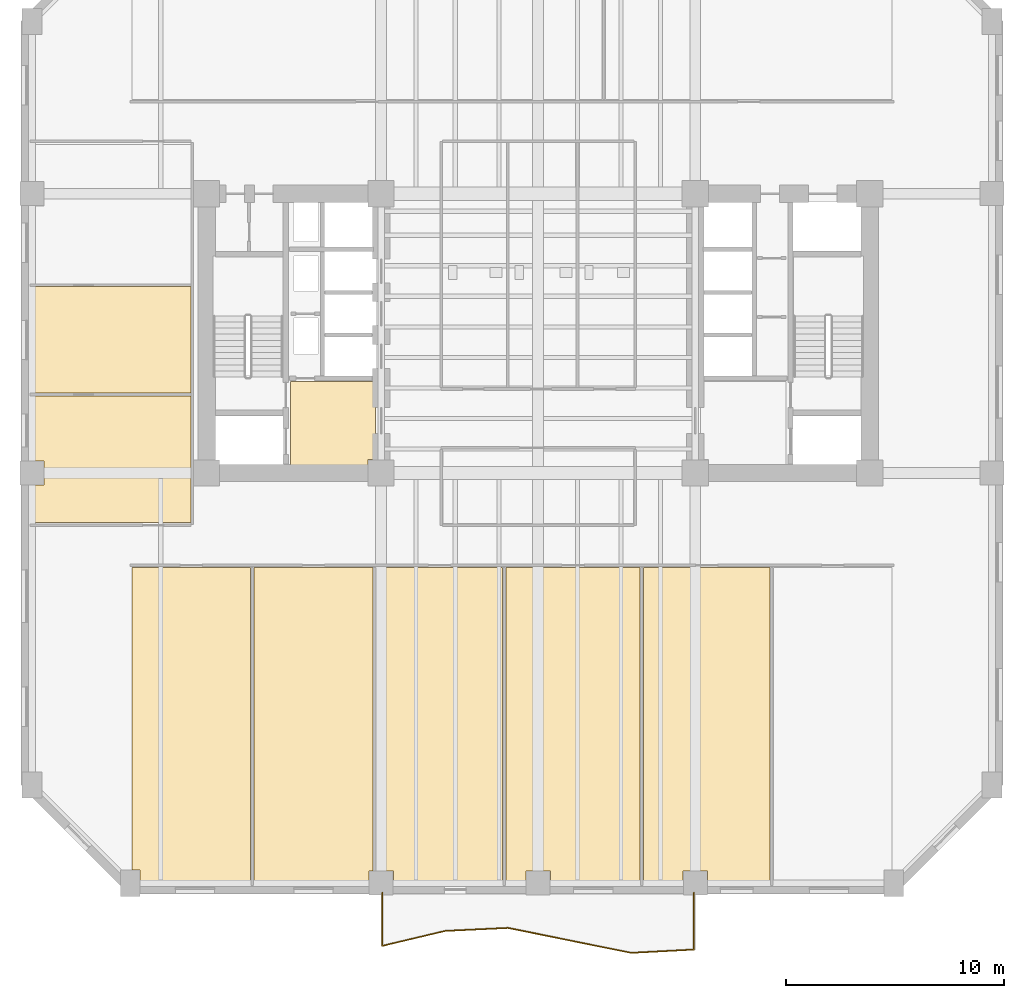
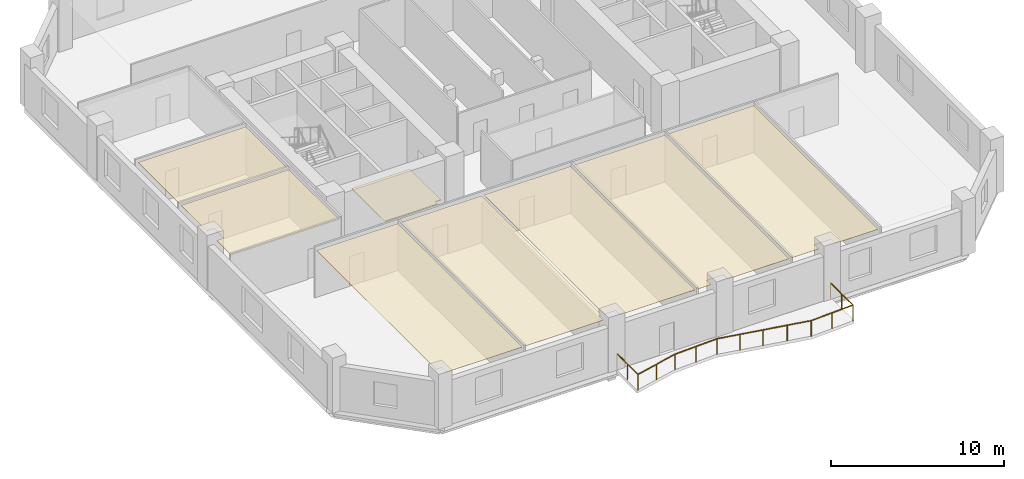
# One storey, part 6 of 10: 8 coverings, 1 railing.
"""IFC4 building model written with IfcOpenShell, lengths in metres."""

from ifc_helpers import new_model, si_unit, direction, frame, origin, origin_2d, place, context, subcontext, project, spatial, polyline, circle, outline, extrude, material, layer, layer_set, type_object, element, save


model = new_model("IFC4")

# Units and contexts
model_context = context("Model", 3, precision=1e-05, world=origin(), true_north=direction((0.0, 1.0)))
body_context = subcontext(model_context, "Body", "Model", "MODEL_VIEW")
ifc_project = project(units=[si_unit("LENGTHUNIT", "METRE"), si_unit("AREAUNIT", "SQUARE_METRE"), si_unit("VOLUMEUNIT", "CUBIC_METRE"), si_unit("PLANEANGLEUNIT", "RADIAN"), si_unit("MASSUNIT", "GRAM", prefix="KILO")], contexts=[model_context])

# Site, building, storey
site_placement = place(None, origin())
site = spatial("IfcSite", under=ifc_project, at=site_placement, CompositionType="ELEMENT")
building_placement = place(site_placement, origin())
building = spatial("IfcBuilding", under=site, at=building_placement, Name="Kranthara Brick Stack", CompositionType="ELEMENT")
storey_placement = place(building_placement, frame((0.0, 0.0, 36.0)))
storey = spatial("IfcBuildingStorey", under=building, at=storey_placement, Name="L08", CompositionType="ELEMENT", Elevation=36.0)

# Coverings
ifc_material_1 = material(Name="Perforated mineral-fibre acoustic ceiling tile", Category="other")
ifc_layer_1 = layer(ifc_material_1, 0.02490234375)
ifc_layer_set_1 = layer_set([ifc_layer_1], Name="Perforated mineral-fibre acoustic ceiling tile")
covering_type_1 = type_object("IfcCoveringType", Name="COV-CEIL-ACOUSTIC", PredefinedType="CEILING", material=ifc_layer_set_1)
covering_1_placement = place(storey_placement, frame((0.0, 0.0, 3.330078125)))
element("IfcCovering", 1, at=covering_1_placement, inside=storey, type_object=covering_type_1, Name="L08 L08 Executive Cellular Office 1 Acoustic Ceiling", PredefinedType="CEILING", context=body_context, shape_type="SweptSolid", body=[
    extrude(outline(polyline([(9.3798828125, 16.47998046875), (14.820068359375, 16.47998046875), (14.820068359375, 2.070068359375), (9.760009765625, 2.070068359375), (9.760009765625, 2.610107421875), (9.3798828125, 2.610107421875), (9.3798828125, 16.47998046875)])), origin(), (0.0, 0.0, 1.0), 0.02490234375),
])
covering_2_placement = place(storey_placement, frame((0.0, 0.0, 3.330078125)))
element("IfcCovering", 2, at=covering_2_placement, inside=storey, type_object=covering_type_1, Name="L08 L08 Executive Cellular Office 2 Acoustic Ceiling", PredefinedType="CEILING", context=body_context, shape_type="SweptSolid", body=[
    extrude(outline(polyline([(14.97998046875, 2.070068359375), (14.97998046875, 16.47998046875), (20.419921875, 16.47998046875), (20.419921875, 2.56005859375), (20.239990234375, 2.56005859375), (20.239990234375, 2.070068359375), (14.97998046875, 2.070068359375)])), origin(), (0.0, 0.0, 1.0), 0.02490234375),
])
covering_3_placement = place(storey_placement, frame((0.0, 0.0, 3.330078125)))
element("IfcCovering", 3, at=covering_3_placement, inside=storey, type_object=covering_type_1, Name="L08 L08 Meeting Room 3 Acoustic Ceiling", PredefinedType="CEILING", context=body_context, shape_type="SweptSolid", body=[
    extrude(outline(polyline([(20.580078125, 16.47998046875), (26.3701171875, 16.47998046875), (26.3701171875, 2.070068359375), (21.360107421875, 2.070068359375), (21.360107421875, 2.56005859375), (20.580078125, 2.56005859375), (20.580078125, 16.47998046875)])), origin(), (0.0, 0.0, 1.0), 0.02490234375),
])
covering_4_placement = place(storey_placement, frame((0.0, 0.0, 3.330078125)))
element("IfcCovering", 4, at=covering_4_placement, inside=storey, type_object=covering_type_1, Name="L08 L08 Meeting Room 4 Acoustic Ceiling", PredefinedType="CEILING", context=body_context, shape_type="SweptSolid", body=[
    extrude(outline(polyline([(26.530029296875, 2.070068359375), (26.530029296875, 16.47998046875), (32.669921875, 16.47998046875), (32.669921875, 2.070068359375), (28.56005859375, 2.070068359375), (28.56005859375, 2.56005859375), (27.43994140625, 2.56005859375), (27.43994140625, 2.070068359375), (26.530029296875, 2.070068359375)])), origin(), (0.0, 0.0, 1.0), 0.02490234375),
])
covering_5_placement = place(storey_placement, frame((0.0, 0.0, 3.330078125)))
element("IfcCovering", 5, at=covering_5_placement, inside=storey, type_object=covering_type_1, Name="L08 L08 Meeting Room 5 Acoustic Ceiling", PredefinedType="CEILING", context=body_context, shape_type="SweptSolid", body=[
    extrude(outline(polyline([(32.830078125, 2.070068359375), (32.830078125, 16.47998046875), (38.6201171875, 16.47998046875), (38.6201171875, 2.070068359375), (35.760009765625, 2.070068359375), (35.760009765625, 2.56005859375), (34.639892578125, 2.56005859375), (34.639892578125, 2.070068359375), (32.830078125, 2.070068359375)])), origin(), (0.0, 0.0, 1.0), 0.02490234375),
])
covering_6_placement = place(storey_placement, frame((0.0, 0.0, 3.330078125)))
element("IfcCovering", 6, at=covering_6_placement, inside=storey, type_object=covering_type_1, Name="L08 L08 West Executive Office 1 Acoustic Ceiling", PredefinedType="CEILING", context=body_context, shape_type="SweptSolid", body=[
    extrude(outline(polyline([(4.8701171875, 24.340087890625), (12.080078125, 24.340087890625), (12.080078125, 18.5400390625), (4.8701171875, 18.5400390625), (4.8701171875, 20.239990234375), (5.360107421875, 20.239990234375), (5.360107421875, 21.360107421875), (4.8701171875, 21.360107421875), (4.8701171875, 24.340087890625)])), origin(), (0.0, 0.0, 1.0), 0.02490234375),
])
covering_7_placement = place(storey_placement, frame((0.0, 0.0, 3.330078125)))
element("IfcCovering", 7, at=covering_7_placement, inside=storey, type_object=covering_type_1, Name="L08 L08 West Executive Office 2 Acoustic Ceiling", PredefinedType="CEILING", context=body_context, shape_type="SweptSolid", body=[
    extrude(outline(polyline([(12.080078125, 24.4599609375), (12.080078125, 29.340087890625), (4.8701171875, 29.340087890625), (4.8701171875, 24.4599609375), (12.080078125, 24.4599609375)])), origin(), (0.0, 0.0, 1.0), 0.02490234375),
])
ifc_material_2 = material(Name="Honed terrazzo and porcelain floor finish", Category="stone")
ifc_layer_2 = layer(ifc_material_2, 0.030029296875)
ifc_layer_set_2 = layer_set([ifc_layer_2], Name="Honed terrazzo and porcelain floor finish")
covering_type_2 = type_object("IfcCoveringType", Name="COV-FLOR-STONE", PredefinedType="FLOORING", material=ifc_layer_set_2)
covering_8_placement = place(storey_placement, origin())
element("IfcCovering", 8, at=covering_8_placement, inside=storey, type_object=covering_type_2, Name="L08 Lift Lobby Stone Flooring", PredefinedType="FLOORING", context=body_context, shape_type="SweptSolid", body=[
    extrude(outline(polyline([(16.64990234375, 21.14990234375), (16.64990234375, 25.0), (20.550048828125, 25.0), (20.550048828125, 21.409912109375), (20.18994140625, 21.409912109375), (20.18994140625, 21.14990234375), (16.64990234375, 21.14990234375)])), origin(), (0.0, 0.0, 1.0), 0.030029296875),
])

# Railing
ifc_material_3 = material(Name="Bronze anodised aluminium and laminated glass balustrade", Category="aluminium")
railing_type = type_object("IfcRailingType", Name="RL-BALC-1120", PredefinedType="BALUSTRADE", material=ifc_material_3)
railing_placement = place(storey_placement, frame((35.139892578125, 1.56005859375, 0.0)))
element("IfcRailing", 9, at=railing_placement, inside=storey, type_object=railing_type, Name="L08 South Rippling Balcony Balustrade", PredefinedType="BALUSTRADE", context=body_context, shape_type="SweptSolid", body=[
    extrude(circle(Radius=0.02392578125, at=origin_2d()), frame((0.0, 0.0, 1.09619140625), z_axis=(0.000187564472, -0.99999998241, 0.0), x_axis=(0.99999998241, 0.000187564472, 0.0)), (0.0, 0.0, 1.0), 2.603271484375),
    extrude(circle(Radius=0.02392578125, at=origin_2d()), frame((0.00048828125, -2.603271484375, 1.09619140625), z_axis=(-0.998642518449, -0.052087621817, 0.0), x_axis=(0.052087621817, -0.998642518449, 0.0)), (0.0, 0.0, 1.0), 2.882568359375),
    extrude(circle(Radius=0.02392578125, at=origin_2d()), frame((-2.878173828125, -2.75341796875, 1.09619140625), z_axis=(-0.980211220791, 0.197954445861, 0.0), x_axis=(-0.197954445861, -0.980211220791, 0.0)), (0.0, 0.0, 1.0), 2.9365234375),
    extrude(circle(Radius=0.02392578125, at=origin_2d()), frame((-5.756591796875, -2.172119140625, 1.09619140625), z_axis=(-0.979973330749, 0.199128779991, 0.0), x_axis=(-0.199128779991, -0.979973330749, 0.0)), (0.0, 0.0, 1.0), 2.81982421875),
    extrude(circle(Radius=0.02392578125, at=origin_2d()), frame((-8.52001953125, -1.610595703125, 1.09619140625), z_axis=(-0.998858923282, -0.047758259811, 0.0), x_axis=(0.047758259811, -0.998858923282, 0.0)), (0.0, 0.0, 1.0), 2.883056640625),
    extrude(circle(Radius=0.02392578125, at=origin_2d()), frame((-11.39990234375, -1.748291015625, 1.09619140625), z_axis=(-0.972881369754, -0.231304648429, 0.0), x_axis=(0.231304648429, -0.972881369754, 0.0)), (0.0, 0.0, 1.0), 2.960693359375),
    extrude(circle(Radius=0.02392578125, at=origin_2d()), frame((-14.2802734375, -2.43310546875, 1.09619140625), z_axis=(0.000200682316, 0.999999979863, 0.0), x_axis=(-0.999999979863, 0.000200682316, 0.0)), (0.0, 0.0, 1.0), 2.43310546875),
    extrude(circle(Radius=0.02099609375, at=origin_2d()), origin(), (0.0, 0.0, 1.0), 1.072021484375),
    extrude(circle(Radius=0.02099609375, at=origin_2d()), frame((0.000244140625, -1.3017578125, 0.0)), (0.0, 0.0, 1.0), 1.072021484375),
    extrude(circle(Radius=0.02099609375, at=origin_2d()), frame((0.00048828125, -2.603271484375, 0.0)), (0.0, 0.0, 1.0), 1.072021484375),
    extrude(circle(Radius=0.02099609375, at=origin_2d()), frame((-1.43896484375, -2.67822265625, 0.0)), (0.0, 0.0, 1.0), 1.072021484375),
    extrude(circle(Radius=0.02099609375, at=origin_2d()), frame((-2.878173828125, -2.75341796875, 0.0)), (0.0, 0.0, 1.0), 1.072021484375),
    extrude(circle(Radius=0.02099609375, at=origin_2d()), frame((-4.3173828125, -2.462890625, 0.0)), (0.0, 0.0, 1.0), 1.072021484375),
    extrude(circle(Radius=0.02099609375, at=origin_2d()), frame((-5.756591796875, -2.172119140625, 0.0)), (0.0, 0.0, 1.0), 1.072021484375),
    extrude(circle(Radius=0.02099609375, at=origin_2d()), frame((-7.13818359375, -1.891357421875, 0.0)), (0.0, 0.0, 1.0), 1.072021484375),
    extrude(circle(Radius=0.02099609375, at=origin_2d()), frame((-8.52001953125, -1.610595703125, 0.0)), (0.0, 0.0, 1.0), 1.072021484375),
    extrude(circle(Radius=0.02099609375, at=origin_2d()), frame((-9.9599609375, -1.679443359375, 0.0)), (0.0, 0.0, 1.0), 1.072021484375),
    extrude(circle(Radius=0.02099609375, at=origin_2d()), frame((-11.39990234375, -1.748291015625, 0.0)), (0.0, 0.0, 1.0), 1.072021484375),
    extrude(circle(Radius=0.02099609375, at=origin_2d()), frame((-12.840087890625, -2.0908203125, 0.0)), (0.0, 0.0, 1.0), 1.072021484375),
    extrude(circle(Radius=0.02099609375, at=origin_2d()), frame((-14.2802734375, -2.43310546875, 0.0)), (0.0, 0.0, 1.0), 1.072021484375),
    extrude(circle(Radius=0.02099609375, at=origin_2d()), frame((-14.280029296875, -1.216552734375, 0.0)), (0.0, 0.0, 1.0), 1.072021484375),
    extrude(circle(Radius=0.02099609375, at=origin_2d()), frame((-14.27978515625, 0.0, 0.0)), (0.0, 0.0, 1.0), 1.072021484375),
])

save(model, "model.ifc")
